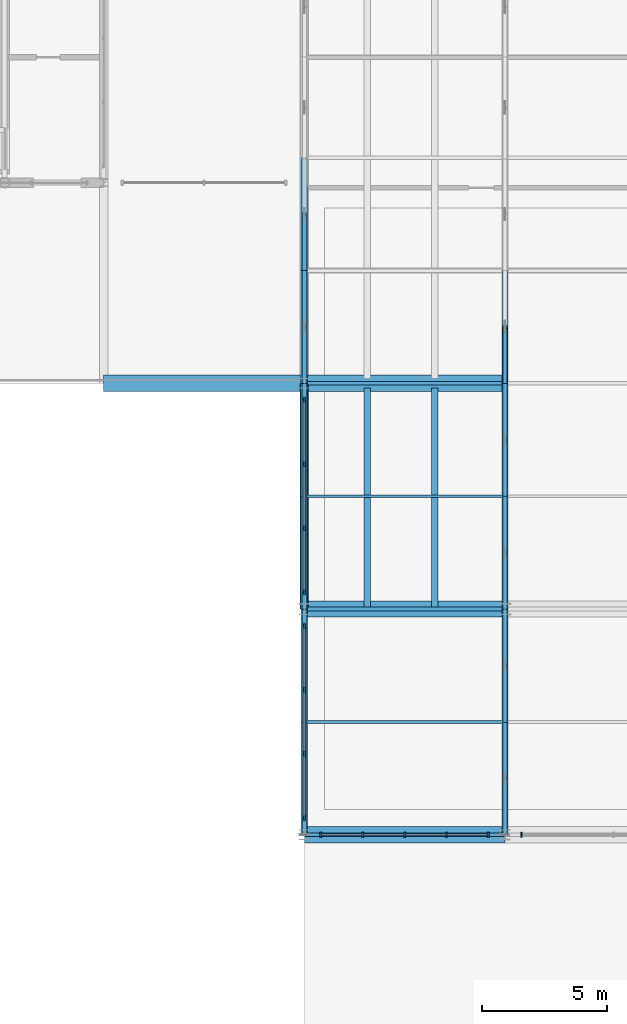
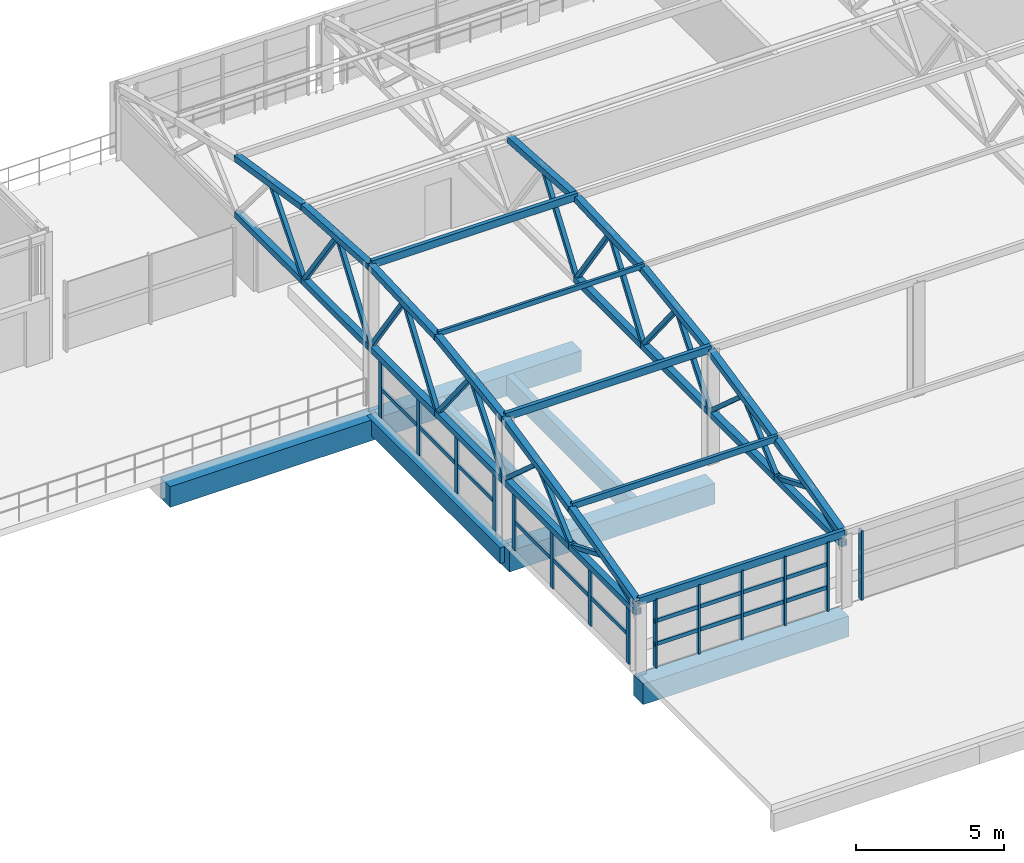
# One storey, part 13 of 50: 64 members, 7 beams, 4 elements without a shape of their own.
"""IFC4 building model written with IfcOpenShell, lengths in metres."""

from ifc_helpers import new_model, si_unit, derived_unit, direction, frame, origin, origin_2d, place, context, subcontext, project, spatial, rectangle, hollow_rectangle, extrude, material, layer, layer_set, material_profile, profile_set, type_object, element, aggregate, save


model = new_model("IFC4")

# Units and contexts
model_context = context("Model", 3, precision=1e-05, world=origin(), true_north=direction((0.0, 1.0)))
body_context = subcontext(model_context, "Body", "Model", "MODEL_VIEW")
ifc_project = project(units=[si_unit("LENGTHUNIT", "METRE"), si_unit("AREAUNIT", "SQUARE_METRE"), si_unit("VOLUMEUNIT", "CUBIC_METRE"), si_unit("PLANEANGLEUNIT", "RADIAN"), si_unit("MASSUNIT", "GRAM", prefix="KILO"), si_unit("THERMODYNAMICTEMPERATUREUNIT", "KELVIN"), derived_unit("THERMALTRANSMITTANCEUNIT", [(si_unit("POWERUNIT", "WATT"), 1), (si_unit("AREAUNIT", "SQUARE_METRE"), -1), (si_unit("THERMODYNAMICTEMPERATUREUNIT", "KELVIN"), -1)])], contexts=[model_context])

# Site, building, storey
site_placement = place(None, origin())
site = spatial("IfcSite", under=ifc_project, at=site_placement, CompositionType="ELEMENT")
building_placement = place(site_placement, origin())
building = spatial("IfcBuilding", under=site, at=building_placement, Name="Haiyu Intermodal Mobility Hub", CompositionType="ELEMENT")
storey_placement = place(building_placement, frame((0.0, 0.0, 25.10009765625)))
storey = spatial("IfcBuildingStorey", under=building, at=storey_placement, Name="L06", CompositionType="ELEMENT", Elevation=25.10009765625)

# Beams
ifc_material_1 = material(Name="Concrete C40", Category="concrete")
ifc_material_profile_1 = material_profile(ifc_material_1, rectangle(XDim=0.35009765625, YDim=0.64990234375, at=origin_2d()), Name="RCB350x650")
ifc_profile_set_1 = profile_set([ifc_material_profile_1], Name="Concrete C40")
beam_type_1 = type_object("IfcBeamType", Name="BM-CB04", PredefinedType="BEAM", material=ifc_profile_set_1)
beam_placement = place(storey_placement, frame((38.0, 122.0, -0.60498046875), z_axis=(0.0, 1.0, 0.0), x_axis=(-1.0, 0.0, 0.0)))
element("IfcBeam", 1, at=beam_placement, inside=storey, type_object=beam_type_1, Name="BM-V4E-L06-003", PredefinedType="BEAM", context=body_context, shape_type="SweptSolid", body=[
    extrude(rectangle(XDim=0.35009765625, YDim=0.64990234375, at=origin_2d()), origin(), (0.0, 0.0, 1.0), 9.0),
])
ifc_material_2 = material(Name="Precast concrete C50", Category="concrete")
ifc_material_profile_2 = material_profile(ifc_material_2, rectangle(XDim=0.260009765625, YDim=0.820068359375, at=origin_2d()), Name="PC260x820")
ifc_profile_set_2 = profile_set([ifc_material_profile_2], Name="Precast concrete C50")
beam_type_2 = type_object("IfcBeamType", Name="BM-DT04", PredefinedType="JOIST", material=ifc_profile_set_2)
for number, where, z_axis, x_axis, name in (
    (2, (40.5, 122.0, -0.690185546875), (0.0, 1.0, 0.0), (-1.0, 0.0, 0.0), "BM-DT-L06-001"),
    (3, (43.199951171875, 122.0, -0.690185546875), (0.0, 1.0, 0.0), (-1.0, 0.0, 0.0), "BM-DT-L06-003"),
):
    element("IfcBeam", number, at=place(storey_placement, frame(where, z_axis=z_axis, x_axis=x_axis)), inside=storey, type_object=beam_type_2, Name=name, PredefinedType="JOIST", context=body_context, shape_type="SweptSolid", body=[
        extrude(rectangle(XDim=0.260009765625, YDim=0.820068359375, at=origin_2d()), origin(), (0.0, 0.0, 1.0), 8.804931640625),
    ])
ifc_material_profile_3 = material_profile(ifc_material_2, rectangle(XDim=0.64990234375, YDim=0.85009765625, at=origin_2d()), Name="PC650x850")
ifc_profile_set_3 = profile_set([ifc_material_profile_3], Name="Precast concrete C50")
beam_type_3 = type_object("IfcBeamType", Name="BM-IT03", PredefinedType="T_BEAM", material=ifc_profile_set_3)
for number, where, z_axis, x_axis, name in (
    (4, (38.0, 113.0, -0.705078125), (1.0, 0.0, 0.0), (0.0, 1.0, 0.0), "BM-V4G-L06-013"),
    (5, (38.0, 122.0, -0.705078125), (1.0, 0.0, 0.0), (0.0, 1.0, 0.0), "BM-V4G-L06-021"),
    (6, (30.0, 131.0, -0.705078125), (1.0, 0.0, 0.0), (0.0, 1.0, 0.0), "BM-V4G-L06-033"),
    (7, (38.0, 131.0, -0.705078125), (1.0, 0.0, 0.0), (0.0, 1.0, 0.0), "BM-V4G-L06-034"),
):
    element("IfcBeam", number, at=place(storey_placement, frame(where, z_axis=z_axis, x_axis=x_axis)), inside=storey, type_object=beam_type_3, Name=name, PredefinedType="T_BEAM", context=body_context, shape_type="SweptSolid", body=[
        extrude(rectangle(XDim=0.64990234375, YDim=0.85009765625, at=origin_2d()), origin(), (0.0, 0.0, 1.0), 8.0),
    ])

# Curtain wall, members
ifc_material_3 = material(Name="Low-e laminated insulating glass", Category="glass")
ifc_layer = layer(ifc_material_3, 0.22998046875)
ifc_layer_set = layer_set([ifc_layer], Name="Low-e laminated insulating glass")
curtain_wall_type = type_object("IfcCurtainWallType", Name="CW-CW05", PredefinedType="NOTDEFINED", material=ifc_layer_set)
curtain_wall_1_placement = place(storey_placement, origin())
curtain_wall_1 = element("IfcCurtainWall", 8, at=curtain_wall_1_placement, inside=storey, type_object=curtain_wall_type, Name="Curtain Wall CW-V3W-077", PredefinedType="NOTDEFINED")
ifc_material_4 = material(Name="Anodised aluminium 6063-T6", Category="aluminium")
ifc_material_profile_4 = material_profile(ifc_material_4, rectangle(XDim=0.074951171875, YDim=0.199951171875, at=origin_2d()), Name="ALU75x200")
ifc_profile_set_4 = profile_set([ifc_material_profile_4], Name="Anodised aluminium 6063-T6")
member_type_1 = type_object("IfcMemberType", Name="CWM-ML01", PredefinedType="MULLION", material=ifc_profile_set_4)
member_1_placement = place(storey_placement, frame((38.0, 121.340087890625, 0.0), z_axis=(0.0, 0.0, 1.0), x_axis=(1.0, 0.0, 0.0)))
member_1 = element("IfcMember", 9, at=member_1_placement, type_object=member_type_1, Name="CW-V3W-077-ML01", PredefinedType="MULLION", context=body_context, shape_type="SweptSolid", body=[
    extrude(rectangle(XDim=0.074951171875, YDim=0.199951171875, at=origin_2d()), origin(), (0.0, 0.0, 1.0), 2.349853515625),
])
member_2_placement = place(storey_placement, frame((38.0, 118.780029296875, 0.0), z_axis=(0.0, 0.0, 1.0), x_axis=(1.0, 0.0, 0.0)))
member_2 = element("IfcMember", 10, at=member_2_placement, type_object=member_type_1, Name="CW-V3W-077-ML02", PredefinedType="MULLION", context=body_context, shape_type="SweptSolid", body=[
    extrude(rectangle(XDim=0.074951171875, YDim=0.199951171875, at=origin_2d()), origin(), (0.0, 0.0, 1.0), 2.349853515625),
])
member_3_placement = place(storey_placement, frame((38.0, 116.219970703125, 0.0), z_axis=(0.0, 0.0, 1.0), x_axis=(1.0, 0.0, 0.0)))
member_3 = element("IfcMember", 11, at=member_3_placement, type_object=member_type_1, Name="CW-V3W-077-ML03", PredefinedType="MULLION", context=body_context, shape_type="SweptSolid", body=[
    extrude(rectangle(XDim=0.074951171875, YDim=0.199951171875, at=origin_2d()), origin(), (0.0, 0.0, 1.0), 2.349853515625),
])
member_4_placement = place(storey_placement, frame((38.0, 113.659912109375, 0.0), z_axis=(0.0, 0.0, 1.0), x_axis=(1.0, 0.0, 0.0)))
member_4 = element("IfcMember", 12, at=member_4_placement, type_object=member_type_1, Name="CW-V3W-077-ML04", PredefinedType="MULLION", context=body_context, shape_type="SweptSolid", body=[
    extrude(rectangle(XDim=0.074951171875, YDim=0.199951171875, at=origin_2d()), origin(), (0.0, 0.0, 1.0), 2.349853515625),
])

curtain_wall_2_placement = place(storey_placement, origin())
curtain_wall_2 = element("IfcCurtainWall", 13, at=curtain_wall_2_placement, inside=storey, type_object=curtain_wall_type, Name="Curtain Wall CW-V3W-078", PredefinedType="NOTDEFINED")
member_5_placement = place(storey_placement, frame((38.0, 130.340087890625, 0.0), z_axis=(0.0, 0.0, 1.0), x_axis=(1.0, 0.0, 0.0)))
member_5 = element("IfcMember", 14, at=member_5_placement, type_object=member_type_1, Name="CW-V3W-078-ML01", PredefinedType="MULLION", context=body_context, shape_type="SweptSolid", body=[
    extrude(rectangle(XDim=0.074951171875, YDim=0.199951171875, at=origin_2d()), origin(), (0.0, 0.0, 1.0), 2.349853515625),
])
member_6_placement = place(storey_placement, frame((38.0, 127.780029296875, 0.0), z_axis=(0.0, 0.0, 1.0), x_axis=(1.0, 0.0, 0.0)))
member_6 = element("IfcMember", 15, at=member_6_placement, type_object=member_type_1, Name="CW-V3W-078-ML02", PredefinedType="MULLION", context=body_context, shape_type="SweptSolid", body=[
    extrude(rectangle(XDim=0.074951171875, YDim=0.199951171875, at=origin_2d()), origin(), (0.0, 0.0, 1.0), 2.349853515625),
])
member_7_placement = place(storey_placement, frame((38.0, 125.219970703125, 0.0), z_axis=(0.0, 0.0, 1.0), x_axis=(1.0, 0.0, 0.0)))
member_7 = element("IfcMember", 16, at=member_7_placement, type_object=member_type_1, Name="CW-V3W-078-ML03", PredefinedType="MULLION", context=body_context, shape_type="SweptSolid", body=[
    extrude(rectangle(XDim=0.074951171875, YDim=0.199951171875, at=origin_2d()), origin(), (0.0, 0.0, 1.0), 2.349853515625),
])
member_8_placement = place(storey_placement, frame((38.0, 122.659912109375, 0.0), z_axis=(0.0, 0.0, 1.0), x_axis=(1.0, 0.0, 0.0)))
member_8 = element("IfcMember", 17, at=member_8_placement, type_object=member_type_1, Name="CW-V3W-078-ML04", PredefinedType="MULLION", context=body_context, shape_type="SweptSolid", body=[
    extrude(rectangle(XDim=0.074951171875, YDim=0.199951171875, at=origin_2d()), origin(), (0.0, 0.0, 1.0), 2.349853515625),
])

curtain_wall_3_placement = place(storey_placement, origin())
curtain_wall_3 = element("IfcCurtainWall", 18, at=curtain_wall_3_placement, inside=storey, type_object=curtain_wall_type, Name="Curtain Wall CW-V3S-155", PredefinedType="NOTDEFINED")
member_9_placement = place(storey_placement, frame((38.659912109375, 113.0, 0.0), z_axis=(0.0, 0.0, 1.0), x_axis=(1.0, 0.0, 0.0)))
member_9 = element("IfcMember", 19, at=member_9_placement, type_object=member_type_1, Name="CW-V3S-155-ML01", PredefinedType="MULLION", context=body_context, shape_type="SweptSolid", body=[
    extrude(rectangle(XDim=0.074951171875, YDim=0.199951171875, at=origin_2d()), origin(), (0.0, 0.0, 1.0), 2.849853515625),
])
member_10_placement = place(storey_placement, frame((40.330078125, 113.0, 0.0), z_axis=(0.0, 0.0, 1.0), x_axis=(1.0, 0.0, 0.0)))
member_10 = element("IfcMember", 20, at=member_10_placement, type_object=member_type_1, Name="CW-V3S-155-ML02", PredefinedType="MULLION", context=body_context, shape_type="SweptSolid", body=[
    extrude(rectangle(XDim=0.074951171875, YDim=0.199951171875, at=origin_2d()), origin(), (0.0, 0.0, 1.0), 2.849853515625),
])
member_11_placement = place(storey_placement, frame((42.0, 113.0, 0.0), z_axis=(0.0, 0.0, 1.0), x_axis=(1.0, 0.0, 0.0)))
member_11 = element("IfcMember", 21, at=member_11_placement, type_object=member_type_1, Name="CW-V3S-155-ML03", PredefinedType="MULLION", context=body_context, shape_type="SweptSolid", body=[
    extrude(rectangle(XDim=0.074951171875, YDim=0.199951171875, at=origin_2d()), origin(), (0.0, 0.0, 1.0), 2.849853515625),
])
member_12_placement = place(storey_placement, frame((43.669921875, 113.0, 0.0), z_axis=(0.0, 0.0, 1.0), x_axis=(1.0, 0.0, 0.0)))
member_12 = element("IfcMember", 22, at=member_12_placement, type_object=member_type_1, Name="CW-V3S-155-ML04", PredefinedType="MULLION", context=body_context, shape_type="SweptSolid", body=[
    extrude(rectangle(XDim=0.074951171875, YDim=0.199951171875, at=origin_2d()), origin(), (0.0, 0.0, 1.0), 2.849853515625),
])
member_13_placement = place(storey_placement, frame((45.340087890625, 113.0, 0.0), z_axis=(0.0, 0.0, 1.0), x_axis=(1.0, 0.0, 0.0)))
member_13 = element("IfcMember", 23, at=member_13_placement, type_object=member_type_1, Name="CW-V3S-155-ML05", PredefinedType="MULLION", context=body_context, shape_type="SweptSolid", body=[
    extrude(rectangle(XDim=0.074951171875, YDim=0.199951171875, at=origin_2d()), origin(), (0.0, 0.0, 1.0), 2.849853515625),
])

# Curtain wall, member
curtain_wall_4_placement = place(storey_placement, origin())
curtain_wall_4 = element("IfcCurtainWall", 24, at=curtain_wall_4_placement, inside=storey, type_object=curtain_wall_type, Name="Curtain Wall CW-V3S-157", PredefinedType="NOTDEFINED")
member_14_placement = place(storey_placement, frame((46.659912109375, 113.0, 0.0), z_axis=(0.0, 0.0, 1.0), x_axis=(1.0, 0.0, 0.0)))
member_14 = element("IfcMember", 25, at=member_14_placement, type_object=member_type_1, Name="CW-V3S-157-ML01", PredefinedType="MULLION", context=body_context, shape_type="SweptSolid", body=[
    extrude(rectangle(XDim=0.074951171875, YDim=0.199951171875, at=origin_2d()), origin(), (0.0, 0.0, 1.0), 2.849853515625),
])
aggregate(curtain_wall_4, [member_14])

# Member
ifc_material_profile_5 = material_profile(ifc_material_4, rectangle(XDim=0.074951171875, YDim=0.159912109375, at=origin_2d()), Name="ALU75x160")
ifc_profile_set_5 = profile_set([ifc_material_profile_5], Name="Anodised aluminium 6063-T6")
member_type_2 = type_object("IfcMemberType", Name="CWM-TR01", PredefinedType="USERDEFINED", material=ifc_profile_set_5)
member_15_placement = place(storey_placement, frame((38.0, 121.3798828125, 1.1748046875), z_axis=(0.0, -1.0, 0.0), x_axis=(1.0, 0.0, 0.0)))
member_15 = element("IfcMember", 26, at=member_15_placement, type_object=member_type_2, Name="CW-V3W-077-TR01", ObjectType="TRANSOM", PredefinedType="USERDEFINED", context=body_context, shape_type="SweptSolid", body=[
    extrude(rectangle(XDim=0.074951171875, YDim=0.159912109375, at=origin_2d()), origin(), (0.0, 0.0, 1.0), 7.759765625),
])

aggregate(curtain_wall_1, [member_1, member_2, member_3, member_4, member_15])

member_16_placement = place(storey_placement, frame((38.0, 130.3798828125, 1.1748046875), z_axis=(0.0, -1.0, 0.0), x_axis=(1.0, 0.0, 0.0)))
member_16 = element("IfcMember", 27, at=member_16_placement, type_object=member_type_2, Name="CW-V3W-078-TR01", ObjectType="TRANSOM", PredefinedType="USERDEFINED", context=body_context, shape_type="SweptSolid", body=[
    extrude(rectangle(XDim=0.074951171875, YDim=0.159912109375, at=origin_2d()), origin(), (0.0, 0.0, 1.0), 7.759765625),
])

aggregate(curtain_wall_2, [member_5, member_6, member_7, member_8, member_16])

member_17_placement = place(storey_placement, frame((38.6201171875, 113.0, 0.949951171875), z_axis=(1.0, 0.0, 0.0), x_axis=(0.0, 1.0, 0.0)))
member_17 = element("IfcMember", 28, at=member_17_placement, type_object=member_type_2, Name="CW-V3S-155-TR01", ObjectType="TRANSOM", PredefinedType="USERDEFINED", context=body_context, shape_type="SweptSolid", body=[
    extrude(rectangle(XDim=0.074951171875, YDim=0.159912109375, at=origin_2d()), origin(), (0.0, 0.0, 1.0), 6.759765625),
])

member_18_placement = place(storey_placement, frame((38.6201171875, 113.0, 1.89990234375), z_axis=(1.0, 0.0, 0.0), x_axis=(0.0, 1.0, 0.0)))
member_18 = element("IfcMember", 29, at=member_18_placement, type_object=member_type_2, Name="CW-V3S-155-TR02", ObjectType="TRANSOM", PredefinedType="USERDEFINED", context=body_context, shape_type="SweptSolid", body=[
    extrude(rectangle(XDim=0.074951171875, YDim=0.159912109375, at=origin_2d()), origin(), (0.0, 0.0, 1.0), 6.759765625),
])

aggregate(curtain_wall_3, [member_9, member_10, member_11, member_12, member_13, member_17, member_18])

# Members
ifc_material_5 = material(Name="Steel Q355C", Category="steel")
ifc_material_profile_6 = material_profile(ifc_material_5, hollow_rectangle(XDim=0.25, YDim=0.25, WallThickness=0.010009765625, at=origin_2d()), Name="SHS250x250x10")
ifc_profile_set_6 = profile_set([ifc_material_profile_6], Name="Steel Q355C")
member_type_3 = type_object("IfcMemberType", Name="MEM-CH01", PredefinedType="CHORD", material=ifc_profile_set_6)
member_19_placement = place(storey_placement, frame((38.0, 113.0, 2.85986328125), z_axis=(0.0, 0.968399815357, 0.249402882134), x_axis=(-1.0, 0.0, 0.0)))
element("IfcMember", 30, at=member_19_placement, inside=storey, type_object=member_type_3, Name="MEM-PAV-TC-001", PredefinedType="CHORD", context=body_context, shape_type="SweptSolid", body=[
    extrude(hollow_rectangle(XDim=0.25, YDim=0.25, WallThickness=0.010009765625, at=origin_2d()), origin(), (0.0, 0.0, 1.0), 4.646728515625),
])
member_20_placement = place(storey_placement, frame((38.0, 113.0, 2.5), z_axis=(0.0, 1.0, 0.0), x_axis=(-1.0, 0.0, 0.0)))
element("IfcMember", 31, at=member_20_placement, inside=storey, type_object=member_type_3, Name="MEM-PAV-BC-001", PredefinedType="CHORD", context=body_context, shape_type="SweptSolid", body=[
    extrude(hollow_rectangle(XDim=0.25, YDim=0.25, WallThickness=0.010009765625, at=origin_2d()), origin(), (0.0, 0.0, 1.0), 4.5),
])
member_21_placement = place(storey_placement, frame((38.0, 117.5, 4.018798828125), z_axis=(0.0, 0.97740646782, 0.211368390882), x_axis=(-1.0, 0.0, 0.0)))
element("IfcMember", 32, at=member_21_placement, inside=storey, type_object=member_type_3, Name="MEM-PAV-TC-002", PredefinedType="CHORD", context=body_context, shape_type="SweptSolid", body=[
    extrude(hollow_rectangle(XDim=0.25, YDim=0.25, WallThickness=0.010009765625, at=origin_2d()), origin(), (0.0, 0.0, 1.0), 4.60400390625),
])
member_22_placement = place(storey_placement, frame((38.0, 117.5, 2.5), z_axis=(0.0, 1.0, 0.0), x_axis=(-1.0, 0.0, 0.0)))
element("IfcMember", 33, at=member_22_placement, inside=storey, type_object=member_type_3, Name="MEM-PAV-BC-002", PredefinedType="CHORD", context=body_context, shape_type="SweptSolid", body=[
    extrude(hollow_rectangle(XDim=0.25, YDim=0.25, WallThickness=0.010009765625, at=origin_2d()), origin(), (0.0, 0.0, 1.0), 4.5),
])
member_23_placement = place(storey_placement, frame((38.0, 122.0, 4.991943359375), z_axis=(0.0, 0.990345287577, 0.138622550019), x_axis=(-1.0, 0.0, 0.0)))
element("IfcMember", 34, at=member_23_placement, inside=storey, type_object=member_type_3, Name="MEM-PAV-TC-003", PredefinedType="CHORD", context=body_context, shape_type="SweptSolid", body=[
    extrude(hollow_rectangle(XDim=0.25, YDim=0.25, WallThickness=0.010009765625, at=origin_2d()), origin(), (0.0, 0.0, 1.0), 4.5439453125),
])
member_24_placement = place(storey_placement, frame((38.0, 122.0, 2.5), z_axis=(0.0, 1.0, 0.0), x_axis=(-1.0, 0.0, 0.0)))
element("IfcMember", 35, at=member_24_placement, inside=storey, type_object=member_type_3, Name="MEM-PAV-BC-003", PredefinedType="CHORD", context=body_context, shape_type="SweptSolid", body=[
    extrude(hollow_rectangle(XDim=0.25, YDim=0.25, WallThickness=0.010009765625, at=origin_2d()), origin(), (0.0, 0.0, 1.0), 4.5),
])
member_25_placement = place(storey_placement, frame((38.0, 126.5, 5.621826171875), z_axis=(0.0, 0.999155473928, 0.041089401543), x_axis=(-1.0, 0.0, 0.0)))
element("IfcMember", 36, at=member_25_placement, inside=storey, type_object=member_type_3, Name="MEM-PAV-TC-004", PredefinedType="CHORD", context=body_context, shape_type="SweptSolid", body=[
    extrude(hollow_rectangle(XDim=0.25, YDim=0.25, WallThickness=0.010009765625, at=origin_2d()), origin(), (0.0, 0.0, 1.0), 4.50390625),
])
member_26_placement = place(storey_placement, frame((38.0, 126.5, 2.5), z_axis=(0.0, 1.0, 0.0), x_axis=(-1.0, 0.0, 0.0)))
element("IfcMember", 37, at=member_26_placement, inside=storey, type_object=member_type_3, Name="MEM-PAV-BC-004", PredefinedType="CHORD", context=body_context, shape_type="SweptSolid", body=[
    extrude(hollow_rectangle(XDim=0.25, YDim=0.25, WallThickness=0.010009765625, at=origin_2d()), origin(), (0.0, 0.0, 1.0), 4.5),
])
member_27_placement = place(storey_placement, frame((38.0, 131.0, 5.806884765625), z_axis=(0.0, 0.997943223953, -0.064103991816), x_axis=(-1.0, 0.0, 0.0)))
element("IfcMember", 38, at=member_27_placement, inside=storey, type_object=member_type_3, Name="MEM-PAV-TC-005", PredefinedType="CHORD", context=body_context, shape_type="SweptSolid", body=[
    extrude(hollow_rectangle(XDim=0.25, YDim=0.25, WallThickness=0.010009765625, at=origin_2d()), origin(), (0.0, 0.0, 1.0), 4.50927734375),
])
member_28_placement = place(storey_placement, frame((38.0, 131.0, 2.5), z_axis=(0.0, 1.0, 0.0), x_axis=(-1.0, 0.0, 0.0)))
element("IfcMember", 39, at=member_28_placement, inside=storey, type_object=member_type_3, Name="MEM-PAV-BC-005", PredefinedType="CHORD", context=body_context, shape_type="SweptSolid", body=[
    extrude(hollow_rectangle(XDim=0.25, YDim=0.25, WallThickness=0.010009765625, at=origin_2d()), origin(), (0.0, 0.0, 1.0), 4.5),
])
member_29_placement = place(storey_placement, frame((38.0, 135.5, 5.517822265625), z_axis=(0.0, 0.987541733158, -0.157357317181), x_axis=(-1.0, 0.0, 0.0)))
element("IfcMember", 40, at=member_29_placement, inside=storey, type_object=member_type_3, Name="MEM-PAV-TC-006", PredefinedType="CHORD", context=body_context, shape_type="SweptSolid", body=[
    extrude(hollow_rectangle(XDim=0.25, YDim=0.25, WallThickness=0.010009765625, at=origin_2d()), origin(), (0.0, 0.0, 1.0), 4.556884765625),
])
member_30_placement = place(storey_placement, frame((38.0, 135.5, 2.5), z_axis=(0.0, 1.0, 0.0), x_axis=(-1.0, 0.0, 0.0)))
element("IfcMember", 41, at=member_30_placement, inside=storey, type_object=member_type_3, Name="MEM-PAV-BC-006", PredefinedType="CHORD", context=body_context, shape_type="SweptSolid", body=[
    extrude(hollow_rectangle(XDim=0.25, YDim=0.25, WallThickness=0.010009765625, at=origin_2d()), origin(), (0.0, 0.0, 1.0), 4.5),
])
member_31_placement = place(storey_placement, frame((46.0, 113.0, 2.85986328125), z_axis=(0.0, 0.968399815357, 0.249402882134), x_axis=(-1.0, 0.0, 0.0)))
element("IfcMember", 42, at=member_31_placement, inside=storey, type_object=member_type_3, Name="MEM-PAV-TC-009", PredefinedType="CHORD", context=body_context, shape_type="SweptSolid", body=[
    extrude(hollow_rectangle(XDim=0.25, YDim=0.25, WallThickness=0.010009765625, at=origin_2d()), origin(), (0.0, 0.0, 1.0), 4.646728515625),
])
member_32_placement = place(storey_placement, frame((46.0, 113.0, 2.5), z_axis=(0.0, 1.0, 0.0), x_axis=(-1.0, 0.0, 0.0)))
element("IfcMember", 43, at=member_32_placement, inside=storey, type_object=member_type_3, Name="MEM-PAV-BC-009", PredefinedType="CHORD", context=body_context, shape_type="SweptSolid", body=[
    extrude(hollow_rectangle(XDim=0.25, YDim=0.25, WallThickness=0.010009765625, at=origin_2d()), origin(), (0.0, 0.0, 1.0), 4.5),
])
member_33_placement = place(storey_placement, frame((46.0, 117.5, 4.018798828125), z_axis=(0.0, 0.97740646782, 0.211368390882), x_axis=(-1.0, 0.0, 0.0)))
element("IfcMember", 44, at=member_33_placement, inside=storey, type_object=member_type_3, Name="MEM-PAV-TC-010", PredefinedType="CHORD", context=body_context, shape_type="SweptSolid", body=[
    extrude(hollow_rectangle(XDim=0.25, YDim=0.25, WallThickness=0.010009765625, at=origin_2d()), origin(), (0.0, 0.0, 1.0), 4.60400390625),
])
member_34_placement = place(storey_placement, frame((46.0, 117.5, 2.5), z_axis=(0.0, 1.0, 0.0), x_axis=(-1.0, 0.0, 0.0)))
element("IfcMember", 45, at=member_34_placement, inside=storey, type_object=member_type_3, Name="MEM-PAV-BC-010", PredefinedType="CHORD", context=body_context, shape_type="SweptSolid", body=[
    extrude(hollow_rectangle(XDim=0.25, YDim=0.25, WallThickness=0.010009765625, at=origin_2d()), origin(), (0.0, 0.0, 1.0), 4.5),
])
member_35_placement = place(storey_placement, frame((46.0, 122.0, 4.991943359375), z_axis=(0.0, 0.990345287577, 0.138622550019), x_axis=(-1.0, 0.0, 0.0)))
element("IfcMember", 46, at=member_35_placement, inside=storey, type_object=member_type_3, Name="MEM-PAV-TC-011", PredefinedType="CHORD", context=body_context, shape_type="SweptSolid", body=[
    extrude(hollow_rectangle(XDim=0.25, YDim=0.25, WallThickness=0.010009765625, at=origin_2d()), origin(), (0.0, 0.0, 1.0), 4.5439453125),
])
member_36_placement = place(storey_placement, frame((46.0, 122.0, 2.5), z_axis=(0.0, 1.0, 0.0), x_axis=(-1.0, 0.0, 0.0)))
element("IfcMember", 47, at=member_36_placement, inside=storey, type_object=member_type_3, Name="MEM-PAV-BC-011", PredefinedType="CHORD", context=body_context, shape_type="SweptSolid", body=[
    extrude(hollow_rectangle(XDim=0.25, YDim=0.25, WallThickness=0.010009765625, at=origin_2d()), origin(), (0.0, 0.0, 1.0), 4.5),
])
member_37_placement = place(storey_placement, frame((46.0, 126.5, 5.621826171875), z_axis=(0.0, 0.999155473928, 0.041089401543), x_axis=(-1.0, 0.0, 0.0)))
element("IfcMember", 48, at=member_37_placement, inside=storey, type_object=member_type_3, Name="MEM-PAV-TC-012", PredefinedType="CHORD", context=body_context, shape_type="SweptSolid", body=[
    extrude(hollow_rectangle(XDim=0.25, YDim=0.25, WallThickness=0.010009765625, at=origin_2d()), origin(), (0.0, 0.0, 1.0), 4.50390625),
])
member_38_placement = place(storey_placement, frame((46.0, 126.5, 2.5), z_axis=(0.0, 1.0, 0.0), x_axis=(-1.0, 0.0, 0.0)))
element("IfcMember", 49, at=member_38_placement, inside=storey, type_object=member_type_3, Name="MEM-PAV-BC-012", PredefinedType="CHORD", context=body_context, shape_type="SweptSolid", body=[
    extrude(hollow_rectangle(XDim=0.25, YDim=0.25, WallThickness=0.010009765625, at=origin_2d()), origin(), (0.0, 0.0, 1.0), 4.5),
])
member_39_placement = place(storey_placement, frame((46.0, 131.0, 5.806884765625), z_axis=(0.0, 0.997943223953, -0.064103991816), x_axis=(-1.0, 0.0, 0.0)))
element("IfcMember", 50, at=member_39_placement, inside=storey, type_object=member_type_3, Name="MEM-PAV-TC-013", PredefinedType="CHORD", context=body_context, shape_type="SweptSolid", body=[
    extrude(hollow_rectangle(XDim=0.25, YDim=0.25, WallThickness=0.010009765625, at=origin_2d()), origin(), (0.0, 0.0, 1.0), 4.50927734375),
])
ifc_material_profile_7 = material_profile(ifc_material_5, hollow_rectangle(XDim=0.159912109375, YDim=0.159912109375, WallThickness=0.006103515625, at=origin_2d()), Name="SHS160x160x6")
ifc_profile_set_7 = profile_set([ifc_material_profile_7], Name="Steel Q355C")
member_type_4 = type_object("IfcMemberType", Name="MEM-CH03", PredefinedType="CHORD", material=ifc_profile_set_7)
for number, where, z_axis, x_axis, name in (
    (51, (38.0, 113.0, 2.5), (0.0, 0.922721067399, 0.385468327852), (-1.0, 0.0, 0.0), "MEM-PAV-D1-001"),
    (52, (38.0, 115.25, 3.43994140625), (0.0, 0.922721067399, -0.385468327852), (-1.0, 0.0, 0.0), "MEM-PAV-D2-001"),
):
    element("IfcMember", number, at=place(storey_placement, frame(where, z_axis=z_axis, x_axis=x_axis)), inside=storey, type_object=member_type_4, Name=name, PredefinedType="CHORD", context=body_context, shape_type="SweptSolid", body=[
        extrude(hollow_rectangle(XDim=0.159912109375, YDim=0.159912109375, WallThickness=0.006103515625, at=origin_2d()), origin(), (0.0, 0.0, 1.0), 2.4384765625),
    ])
for number, where, z_axis, x_axis, name in (
    (53, (38.0, 117.5, 2.5), (0.0, 0.746443301458, 0.665449019616), (-1.0, 0.0, 0.0), "MEM-PAV-D1-002"),
    (54, (38.0, 119.75, 4.505859375), (0.0, 0.746443301458, -0.665449019616), (-1.0, 0.0, 0.0), "MEM-PAV-D2-002"),
):
    element("IfcMember", number, at=place(storey_placement, frame(where, z_axis=z_axis, x_axis=x_axis)), inside=storey, type_object=member_type_4, Name=name, PredefinedType="CHORD", context=body_context, shape_type="SweptSolid", body=[
        extrude(hollow_rectangle(XDim=0.159912109375, YDim=0.159912109375, WallThickness=0.006103515625, at=origin_2d()), origin(), (0.0, 0.0, 1.0), 3.014404296875),
    ])
for number, where, z_axis, x_axis, name in (
    (55, (38.0, 122.0, 2.5), (0.0, 0.625456177782, 0.780259296436), (-1.0, 0.0, 0.0), "MEM-PAV-D1-003"),
    (56, (38.0, 124.25, 5.306884765625), (0.0, 0.625456177782, -0.780259296436), (-1.0, 0.0, 0.0), "MEM-PAV-D2-003"),
):
    element("IfcMember", number, at=place(storey_placement, frame(where, z_axis=z_axis, x_axis=x_axis)), inside=storey, type_object=member_type_4, Name=name, PredefinedType="CHORD", context=body_context, shape_type="SweptSolid", body=[
        extrude(hollow_rectangle(XDim=0.159912109375, YDim=0.159912109375, WallThickness=0.006103515625, at=origin_2d()), origin(), (0.0, 0.0, 1.0), 3.597412109375),
    ])
for number, where, z_axis, x_axis, name in (
    (57, (38.0, 126.5, 2.5), (0.0, 0.573395531829, 0.819278685234), (-1.0, 0.0, 0.0), "MEM-PAV-D1-004"),
    (58, (38.0, 128.75, 5.71484375), (0.0, 0.573395531829, -0.819278685234), (-1.0, 0.0, 0.0), "MEM-PAV-D2-004"),
):
    element("IfcMember", number, at=place(storey_placement, frame(where, z_axis=z_axis, x_axis=x_axis)), inside=storey, type_object=member_type_4, Name=name, PredefinedType="CHORD", context=body_context, shape_type="SweptSolid", body=[
        extrude(hollow_rectangle(XDim=0.159912109375, YDim=0.159912109375, WallThickness=0.006103515625, at=origin_2d()), origin(), (0.0, 0.0, 1.0), 3.924072265625),
    ])
for number, where, z_axis, x_axis, name in (
    (59, (38.0, 131.0, 2.5), (0.0, 0.579791164583, 0.814765122886), (-1.0, 0.0, 0.0), "MEM-PAV-D1-005"),
    (60, (38.0, 133.25, 5.661865234375), (0.0, 0.579791164583, -0.814765122886), (-1.0, 0.0, 0.0), "MEM-PAV-D2-005"),
):
    element("IfcMember", number, at=place(storey_placement, frame(where, z_axis=z_axis, x_axis=x_axis)), inside=storey, type_object=member_type_4, Name=name, PredefinedType="CHORD", context=body_context, shape_type="SweptSolid", body=[
        extrude(hollow_rectangle(XDim=0.159912109375, YDim=0.159912109375, WallThickness=0.006103515625, at=origin_2d()), origin(), (0.0, 0.0, 1.0), 3.880615234375),
    ])
member_40_placement = place(storey_placement, frame((38.0, 135.5, 2.5), z_axis=(0.0, 0.64582600347, 0.763484625413), x_axis=(-1.0, 0.0, 0.0)))
element("IfcMember", 61, at=member_40_placement, inside=storey, type_object=member_type_4, Name="MEM-PAV-D1-006", PredefinedType="CHORD", context=body_context, shape_type="SweptSolid", body=[
    extrude(hollow_rectangle(XDim=0.159912109375, YDim=0.159912109375, WallThickness=0.006103515625, at=origin_2d()), origin(), (0.0, 0.0, 1.0), 3.48388671875),
])
for number, where, z_axis, x_axis, name in (
    (62, (46.0, 113.0, 2.5), (0.0, 0.922721067399, 0.385468327852), (-1.0, 0.0, 0.0), "MEM-PAV-D1-009"),
    (63, (46.0, 115.25, 3.43994140625), (0.0, 0.922721067399, -0.385468327852), (-1.0, 0.0, 0.0), "MEM-PAV-D2-009"),
):
    element("IfcMember", number, at=place(storey_placement, frame(where, z_axis=z_axis, x_axis=x_axis)), inside=storey, type_object=member_type_4, Name=name, PredefinedType="CHORD", context=body_context, shape_type="SweptSolid", body=[
        extrude(hollow_rectangle(XDim=0.159912109375, YDim=0.159912109375, WallThickness=0.006103515625, at=origin_2d()), origin(), (0.0, 0.0, 1.0), 2.4384765625),
    ])
for number, where, z_axis, x_axis, name in (
    (64, (46.0, 117.5, 2.5), (0.0, 0.746443301458, 0.665449019616), (-1.0, 0.0, 0.0), "MEM-PAV-D1-010"),
    (65, (46.0, 119.75, 4.505859375), (0.0, 0.746443301458, -0.665449019616), (-1.0, 0.0, 0.0), "MEM-PAV-D2-010"),
):
    element("IfcMember", number, at=place(storey_placement, frame(where, z_axis=z_axis, x_axis=x_axis)), inside=storey, type_object=member_type_4, Name=name, PredefinedType="CHORD", context=body_context, shape_type="SweptSolid", body=[
        extrude(hollow_rectangle(XDim=0.159912109375, YDim=0.159912109375, WallThickness=0.006103515625, at=origin_2d()), origin(), (0.0, 0.0, 1.0), 3.014404296875),
    ])
for number, where, z_axis, x_axis, name in (
    (66, (46.0, 122.0, 2.5), (0.0, 0.625456177782, 0.780259296436), (-1.0, 0.0, 0.0), "MEM-PAV-D1-011"),
    (67, (46.0, 124.25, 5.306884765625), (0.0, 0.625456177782, -0.780259296436), (-1.0, 0.0, 0.0), "MEM-PAV-D2-011"),
):
    element("IfcMember", number, at=place(storey_placement, frame(where, z_axis=z_axis, x_axis=x_axis)), inside=storey, type_object=member_type_4, Name=name, PredefinedType="CHORD", context=body_context, shape_type="SweptSolid", body=[
        extrude(hollow_rectangle(XDim=0.159912109375, YDim=0.159912109375, WallThickness=0.006103515625, at=origin_2d()), origin(), (0.0, 0.0, 1.0), 3.597412109375),
    ])
for number, where, z_axis, x_axis, name in (
    (68, (46.0, 126.5, 2.5), (0.0, 0.573395531829, 0.819278685234), (-1.0, 0.0, 0.0), "MEM-PAV-D1-012"),
    (69, (46.0, 128.75, 5.71484375), (0.0, 0.573395531829, -0.819278685234), (-1.0, 0.0, 0.0), "MEM-PAV-D2-012"),
):
    element("IfcMember", number, at=place(storey_placement, frame(where, z_axis=z_axis, x_axis=x_axis)), inside=storey, type_object=member_type_4, Name=name, PredefinedType="CHORD", context=body_context, shape_type="SweptSolid", body=[
        extrude(hollow_rectangle(XDim=0.159912109375, YDim=0.159912109375, WallThickness=0.006103515625, at=origin_2d()), origin(), (0.0, 0.0, 1.0), 3.924072265625),
    ])
member_41_placement = place(storey_placement, frame((46.0, 131.0, 2.5), z_axis=(0.0, 0.579791164583, 0.814765122886), x_axis=(-1.0, 0.0, 0.0)))
element("IfcMember", 70, at=member_41_placement, inside=storey, type_object=member_type_4, Name="MEM-PAV-D1-013", PredefinedType="CHORD", context=body_context, shape_type="SweptSolid", body=[
    extrude(hollow_rectangle(XDim=0.159912109375, YDim=0.159912109375, WallThickness=0.006103515625, at=origin_2d()), origin(), (0.0, 0.0, 1.0), 3.880615234375),
])
ifc_material_profile_8 = material_profile(ifc_material_5, hollow_rectangle(XDim=0.14990234375, YDim=0.300048828125, WallThickness=0.010009765625, at=origin_2d()), Name="RHS300x150x10")
ifc_profile_set_8 = profile_set([ifc_material_profile_8], Name="Steel Q355C")
member_type_5 = type_object("IfcMemberType", Name="MEM-PR01", PredefinedType="PURLIN", material=ifc_profile_set_8)
for number, where, z_axis, x_axis, name in (
    (71, (38.0, 113.0, 2.947998046875), (1.0, 0.0, 0.0), (0.0, 1.0, 0.0), "MEM-PAV-PR-001"),
    (72, (38.0, 122.0, 5.079833984375), (1.0, 0.0, 0.0), (0.0, 1.0, 0.0), "MEM-PAV-PR-006"),
    (73, (38.0, 131.0, 5.89501953125), (1.0, 0.0, 0.0), (0.0, 1.0, 0.0), "MEM-PAV-PR-011"),
):
    element("IfcMember", number, at=place(storey_placement, frame(where, z_axis=z_axis, x_axis=x_axis)), inside=storey, type_object=member_type_5, Name=name, PredefinedType="PURLIN", context=body_context, shape_type="SweptSolid", body=[
        extrude(hollow_rectangle(XDim=0.14990234375, YDim=0.300048828125, WallThickness=0.010009765625, at=origin_2d()), origin(), (0.0, 0.0, 1.0), 8.0),
    ])
ifc_material_profile_9 = material_profile(ifc_material_5, hollow_rectangle(XDim=0.125, YDim=0.25, WallThickness=0.008056640625, at=origin_2d()), Name="RHS250x125x8")
ifc_profile_set_9 = profile_set([ifc_material_profile_9], Name="Steel Q355C")
member_type_6 = type_object("IfcMemberType", Name="MEM-PR02-INT", PredefinedType="PURLIN", material=ifc_profile_set_9)
member_42_placement = place(storey_placement, frame((38.0, 117.5, 4.1298828125), z_axis=(1.0, 0.0, 0.0), x_axis=(0.0, 1.0, 0.0)))
element("IfcMember", 74, at=member_42_placement, inside=storey, type_object=member_type_6, Name="MEM-PAV-SPR-001", PredefinedType="PURLIN", context=body_context, shape_type="SweptSolid", body=[
    extrude(hollow_rectangle(XDim=0.125, YDim=0.25, WallThickness=0.008056640625, at=origin_2d()), origin(), (0.0, 0.0, 1.0), 8.0),
])
ifc_material_profile_10 = material_profile(ifc_material_5, hollow_rectangle(XDim=0.10009765625, YDim=0.199951171875, WallThickness=0.006103515625, at=origin_2d()), Name="RHS200x100x6")
ifc_profile_set_10 = profile_set([ifc_material_profile_10], Name="Steel Q355C")
member_type_7 = type_object("IfcMemberType", Name="MEM-PR03-INT", PredefinedType="PURLIN", material=ifc_profile_set_10)
member_43_placement = place(storey_placement, frame((38.0, 126.5, 5.7578125), z_axis=(1.0, 0.0, 0.0), x_axis=(0.0, 1.0, 0.0)))
element("IfcMember", 75, at=member_43_placement, inside=storey, type_object=member_type_7, Name="MEM-PAV-SPR-006", PredefinedType="PURLIN", context=body_context, shape_type="SweptSolid", body=[
    extrude(hollow_rectangle(XDim=0.10009765625, YDim=0.199951171875, WallThickness=0.006103515625, at=origin_2d()), origin(), (0.0, 0.0, 1.0), 8.0),
])

save(model, "model.ifc")
